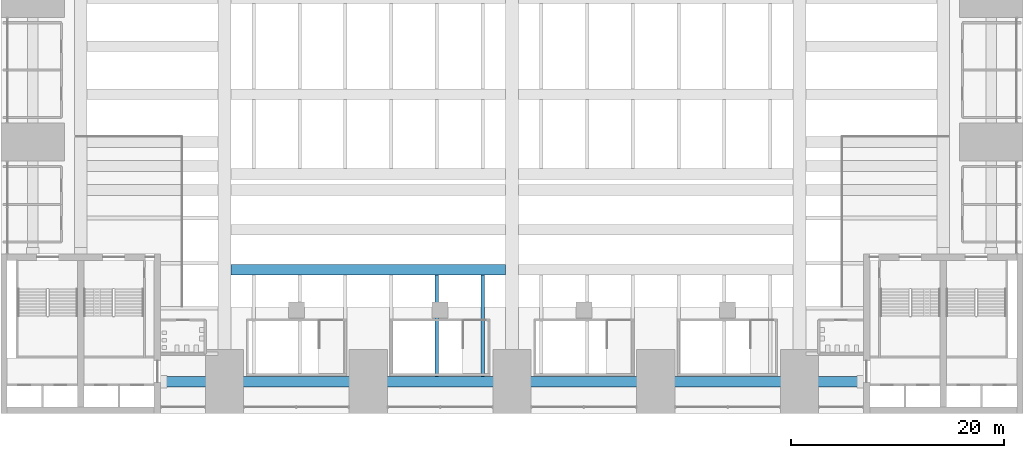
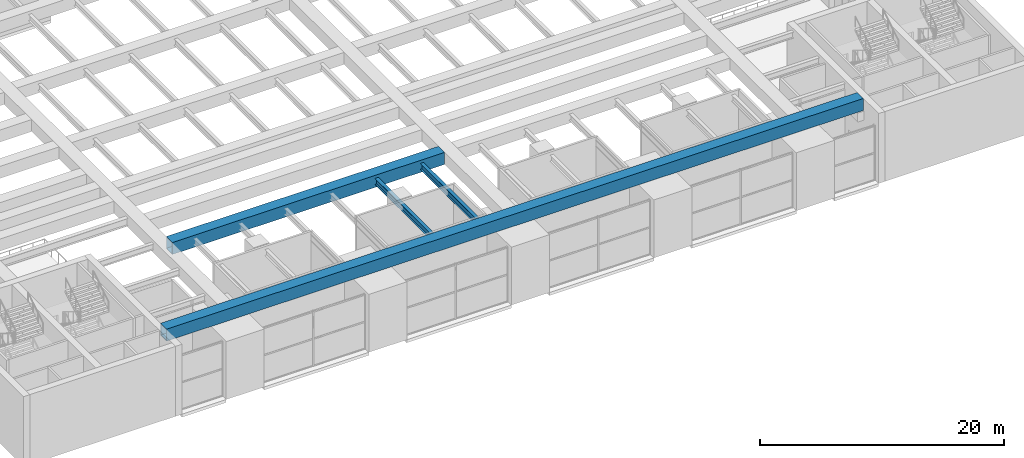
# One storey, part 5 of 45: 2 beams, 2 members.
"""IFC4 building model written with IfcOpenShell, lengths in metres."""

from ifc_helpers import new_model, si_unit, direction, frame, origin, origin_2d, place, context, subcontext, project, spatial, hollow_rectangle, i_section, extrude, material, material_profile, profile_set, type_object, element, save


model = new_model("IFC4")

# Units and contexts
model_context = context("Model", 3, precision=1e-05, world=origin(), true_north=direction((0.0, 1.0)))
body_context = subcontext(model_context, "Body", "Model", "MODEL_VIEW")
ifc_project = project(units=[si_unit("LENGTHUNIT", "METRE"), si_unit("AREAUNIT", "SQUARE_METRE"), si_unit("VOLUMEUNIT", "CUBIC_METRE"), si_unit("PLANEANGLEUNIT", "RADIAN"), si_unit("MASSUNIT", "GRAM", prefix="KILO")], contexts=[model_context])

# Site, building, storey
site_placement = place(None, origin())
site = spatial("IfcSite", under=ifc_project, at=site_placement, CompositionType="ELEMENT")
building_placement = place(site_placement, origin())
building = spatial("IfcBuilding", under=site, at=building_placement, Name="Corbelhall Arena Tower", CompositionType="ELEMENT")
storey_placement = place(building_placement, frame((0.0, 0.0, 37.0)))
storey = spatial("IfcBuildingStorey", under=building, at=storey_placement, Name="L05", CompositionType="ELEMENT", Elevation=37.0)

# Beams
ifc_material_1 = material(Name="Steel ASTM A992 Gr50", Category="steel")
ifc_material_profile_1 = material_profile(ifc_material_1, i_section(OverallWidth=0.323974609375, OverallDepth=0.611083984375, WebThickness=0.0126953125, FlangeThickness=0.01904296875, at=origin_2d()))
ifc_profile_set_1 = profile_set([ifc_material_profile_1], Name="Steel ASTM A992 Gr50")
beam_type = type_object("IfcBeamType", Name="PO-BEAM-W24X104", PredefinedType="BEAM", material=ifc_profile_set_1)
for number, where, z_axis, x_axis, name in (
    (1, (-7.050048828125, -35.5, 6.39453125), (0.0, 1.0, 0.0), (-1.0, 0.0, 0.0), "DECK BEAM BOT 17.5"),
    (2, (-2.75, -35.5, 6.39453125), (0.0, 1.0, 0.0), (-1.0, 0.0, 0.0), "DECK BEAM BOT 17.6"),
):
    element("IfcBeam", number, at=place(storey_placement, frame(where, z_axis=z_axis, x_axis=x_axis)), inside=storey, type_object=beam_type, Name=name, PredefinedType="BEAM", context=body_context, shape_type="SweptSolid", body=[
        extrude(i_section(OverallWidth=0.323974609375, OverallDepth=0.611083984375, WebThickness=0.0126953125, FlangeThickness=0.01904296875, at=origin_2d()), origin(), (0.0, 0.0, 1.0), 9.5),
    ])

# Members
ifc_material_2 = material(Name="Steel ASTM A572 Gr50", Category="steel")
ifc_material_profile_2 = material_profile(ifc_material_2, hollow_rectangle(XDim=1.0, YDim=1.199951171875, WallThickness=0.06005859375, at=origin_2d()))
ifc_profile_set_2 = profile_set([ifc_material_profile_2], Name="Steel ASTM A572 Gr50")
member_type = type_object("IfcMemberType", Name="PO-CHORD-1200X1000X60", PredefinedType="CHORD", material=ifc_profile_set_2)
member_1_placement = place(storey_placement, frame((-33.0, -36.0, 6.39990234375), z_axis=(1.0, 0.0, 0.0), x_axis=(0.0, 1.0, 0.0)))
element("IfcMember", 3, at=member_1_placement, inside=storey, type_object=member_type, Name="TRUSS EDGE-S BOT CHORD", PredefinedType="CHORD", context=body_context, shape_type="SweptSolid", body=[
    extrude(hollow_rectangle(XDim=1.0, YDim=1.199951171875, WallThickness=0.06005859375, at=origin_2d()), origin(), (0.0, 0.0, 1.0), 66.0),
])
member_2_placement = place(storey_placement, frame((-26.39990234375, -25.5, 6.39990234375), z_axis=(1.0, 0.0, 0.0), x_axis=(0.0, 1.0, 0.0)))
element("IfcMember", 4, at=member_2_placement, inside=storey, type_object=member_type, Name="TRUSS SEC-S25.50-1 BOT CHORD", PredefinedType="CHORD", context=body_context, shape_type="SweptSolid", body=[
    extrude(hollow_rectangle(XDim=1.0, YDim=1.199951171875, WallThickness=0.06005859375, at=origin_2d()), origin(), (0.0, 0.0, 1.0), 25.7998046875),
])

save(model, "model.ifc")
